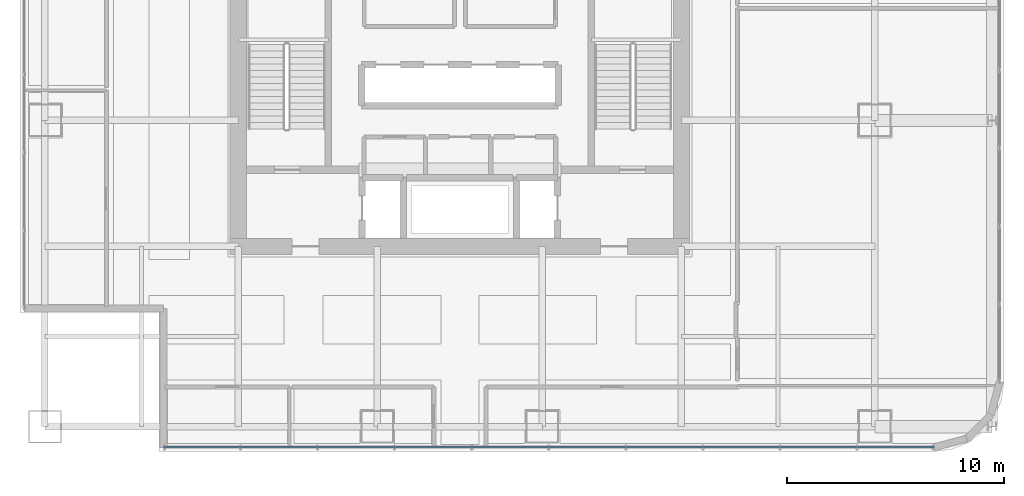
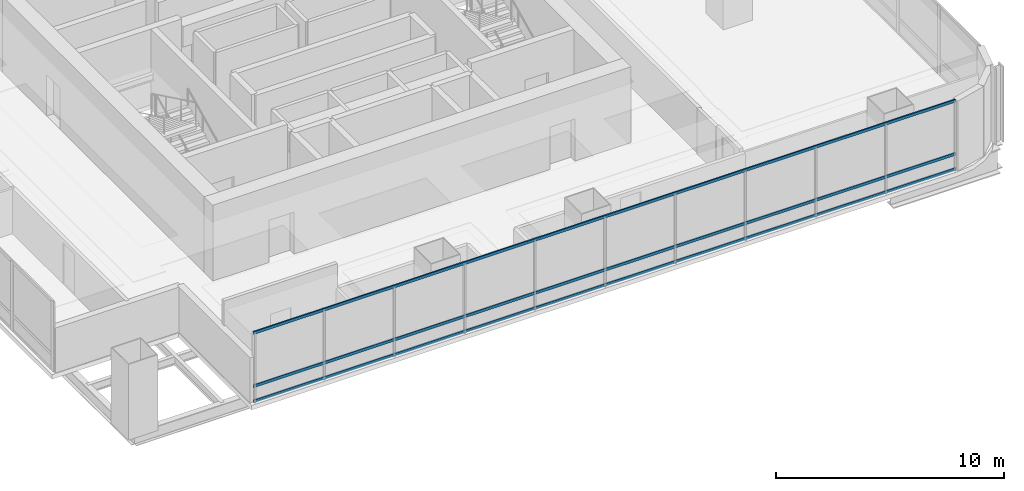
# One storey, part 6 of 33: 3 members, 1 element without a shape of its own.
"""IFC4 building model written with IfcOpenShell, lengths in metres."""

from ifc_helpers import new_model, si_unit, direction, frame, origin, origin_2d, place, context, subcontext, project, spatial, hollow_rectangle, extrude, material, material_profile, profile_set, type_object, element, aggregate, save


model = new_model("IFC4")

# Units and contexts
model_context = context("Model", 3, precision=1e-05, world=origin(), true_north=direction((0.0, 1.0)))
body_context = subcontext(model_context, "Body", "Model", "MODEL_VIEW")
ifc_project = project(units=[si_unit("LENGTHUNIT", "METRE"), si_unit("AREAUNIT", "SQUARE_METRE"), si_unit("VOLUMEUNIT", "CUBIC_METRE"), si_unit("PLANEANGLEUNIT", "RADIAN"), si_unit("MASSUNIT", "GRAM", prefix="KILO")], contexts=[model_context])

# Site, building, storey
site_placement = place(None, origin())
site = spatial("IfcSite", under=ifc_project, at=site_placement, CompositionType="ELEMENT")
building_placement = place(site_placement, origin())
building = spatial("IfcBuilding", under=site, at=building_placement, Name="Punatoya Terracotta Tower", CompositionType="ELEMENT")
storey_placement = place(building_placement, frame((0.0, 0.0, 121.35009765625)))
storey = spatial("IfcBuildingStorey", under=building, at=storey_placement, Name="L28", CompositionType="ELEMENT", Elevation=121.35009765625)

# Curtain wall, members
ifc_material_1 = material(Name="Aluminium 6063-T6 + Double Low-E Glass", Category="aluminium")
curtain_wall_type = type_object("IfcCurtainWallType", Name="CW-M1", PredefinedType="NOTDEFINED", material=ifc_material_1)
curtain_wall_placement = place(storey_placement, origin())
curtain_wall = element("IfcCurtainWall", 1, at=curtain_wall_placement, inside=storey, type_object=curtain_wall_type, Name="L28 Curtain Wall CW-L28-S01-1", PredefinedType="NOTDEFINED")
ifc_material_2 = material(Name="Aluminium 6063-T6", Category="aluminium")
ifc_material_profile = material_profile(ifc_material_2, hollow_rectangle(XDim=0.068115234375, YDim=0.14990234375, WallThickness=0.00390625, at=origin_2d()))
ifc_profile_set = profile_set([ifc_material_profile], Name="Aluminium 6063-T6")
member_type = type_object("IfcMemberType", Name="CW-TRN-TYP", PredefinedType="USERDEFINED", material=ifc_profile_set)
member_1_placement = place(storey_placement, frame((-13.64990234375, -18.449951171875, 0.039794921875), z_axis=(1.0, 0.0, 0.0), x_axis=(0.0, 1.0, 0.0)))
member_1 = element("IfcMember", 2, at=member_1_placement, type_object=member_type, Name="CW-L28-S01-1 Transom 1", ObjectType="TRANSOM", PredefinedType="USERDEFINED", context=body_context, shape_type="SweptSolid", body=[
    extrude(hollow_rectangle(XDim=0.068115234375, YDim=0.14990234375, WallThickness=0.00390625, at=origin_2d()), origin(), (0.0, 0.0, 1.0), 35.48681640625),
])
member_2_placement = place(storey_placement, frame((-13.64990234375, -18.449951171875, 0.849853515625), z_axis=(1.0, 0.0, 0.0), x_axis=(0.0, 1.0, 0.0)))
member_2 = element("IfcMember", 3, at=member_2_placement, type_object=member_type, Name="CW-L28-S01-1 Transom 2", ObjectType="TRANSOM", PredefinedType="USERDEFINED", context=body_context, shape_type="SweptSolid", body=[
    extrude(hollow_rectangle(XDim=0.068115234375, YDim=0.14990234375, WallThickness=0.00390625, at=origin_2d()), origin(), (0.0, 0.0, 1.0), 35.48681640625),
])
member_3_placement = place(storey_placement, frame((-13.64990234375, -18.449951171875, 3.68994140625), z_axis=(1.0, 0.0, 0.0), x_axis=(0.0, 1.0, 0.0)))
member_3 = element("IfcMember", 4, at=member_3_placement, type_object=member_type, Name="CW-L28-S01-1 Transom 3", ObjectType="TRANSOM", PredefinedType="USERDEFINED", context=body_context, shape_type="SweptSolid", body=[
    extrude(hollow_rectangle(XDim=0.068115234375, YDim=0.14990234375, WallThickness=0.00390625, at=origin_2d()), origin(), (0.0, 0.0, 1.0), 35.48681640625),
])
aggregate(curtain_wall, [member_1, member_2, member_3])

save(model, "model.ifc")
